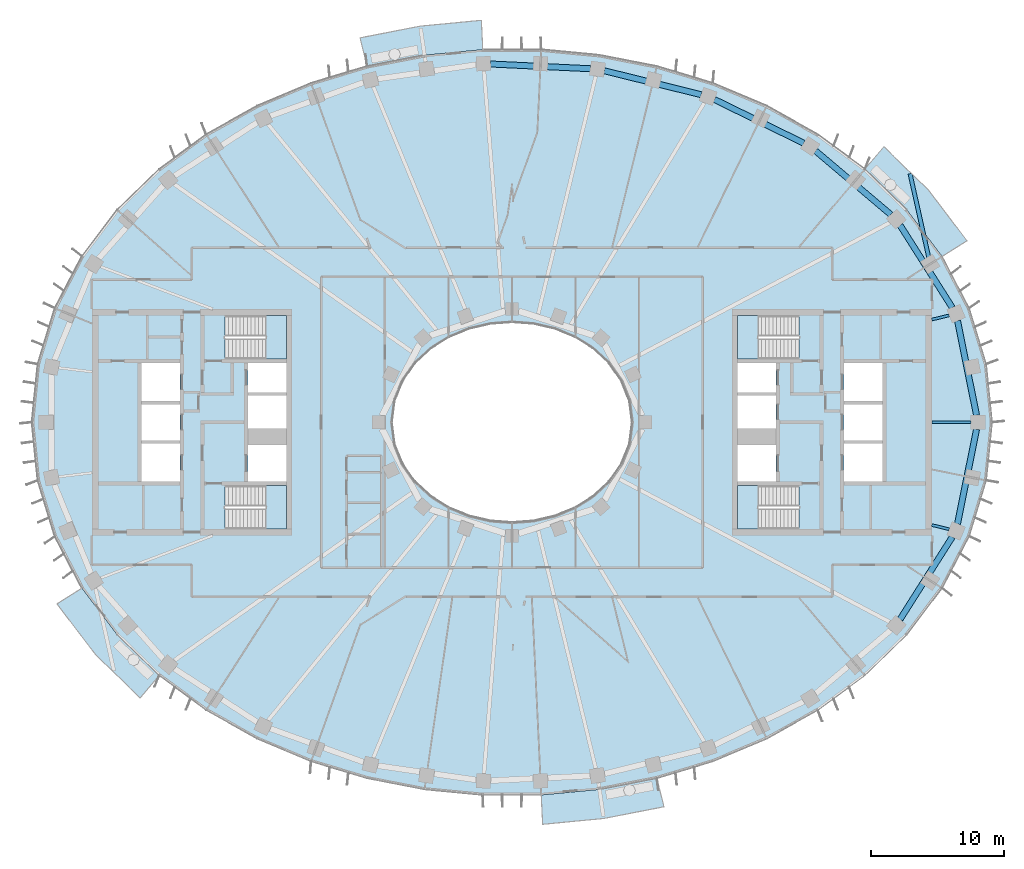
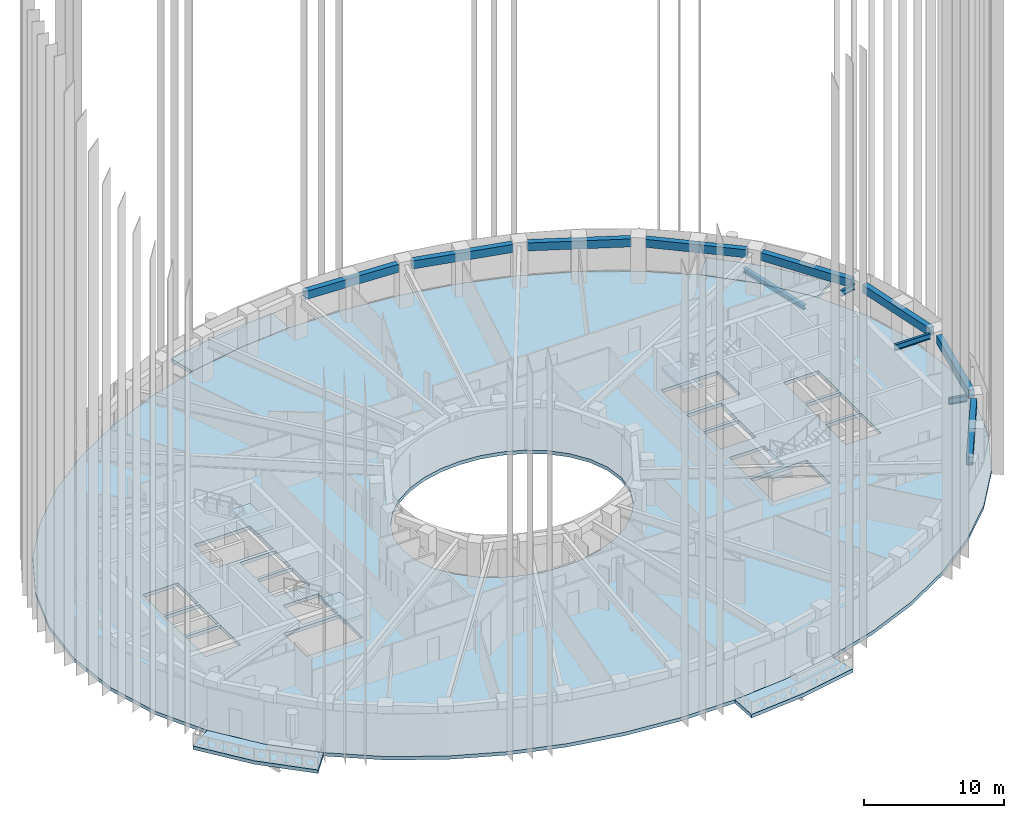
# One storey, part 2 of 19: 12 beams, 9 slabs, 4 elements without a shape of their own.
"""IFC4 building model written with IfcOpenShell, lengths in metres."""

from ifc_helpers import new_model, si_unit, direction, frame, origin, origin_2d, place, context, subcontext, project, spatial, polyline, rectangle, i_section, outline, extrude, material, layer, layer_set, material_profile, profile_set, type_object, element, aggregate, save


model = new_model("IFC4")

# Units and contexts
model_context = context("Model", 3, precision=1e-05, world=origin(), true_north=direction((0.0, 1.0)))
body_context = subcontext(model_context, "Body", "Model", "MODEL_VIEW")
ifc_project = project(units=[si_unit("LENGTHUNIT", "METRE"), si_unit("AREAUNIT", "SQUARE_METRE"), si_unit("VOLUMEUNIT", "CUBIC_METRE"), si_unit("PLANEANGLEUNIT", "RADIAN"), si_unit("MASSUNIT", "GRAM", prefix="KILO")], contexts=[model_context])

# Site, building, storey
site_placement = place(None, origin())
site = spatial("IfcSite", under=ifc_project, at=site_placement, CompositionType="ELEMENT")
building_placement = place(site_placement, origin())
building = spatial("IfcBuilding", under=site, at=building_placement, Name="Noorbagh Ring Tower", CompositionType="ELEMENT")
storey_placement = place(building_placement, frame((0.0, 0.0, 233.5)))
storey = spatial("IfcBuildingStorey", under=building, at=storey_placement, Name="L48", CompositionType="ELEMENT", Elevation=233.5)

# Beams
ifc_material_1 = material(Name="Steel S355", Category="steel")
ifc_material_profile_1 = material_profile(ifc_material_1, i_section(OverallWidth=0.300048828125, OverallDepth=0.39990234375, WebThickness=0.013427734375, FlangeThickness=0.02392578125, FilletRadius=0.027099609375, at=origin_2d()), Name="HEB400")
ifc_profile_set_1 = profile_set([ifc_material_profile_1], Name="Steel S355")
beam_type_1 = type_object("IfcBeamType", Name="STR-BALCONY-BRACKET-HEB400", PredefinedType="BEAM", material=ifc_profile_set_1)
beam_1_placement = place(storey_placement, frame((31.24951171875, 12.38818359375, -0.5), z_axis=(-0.217922696307, 0.975966033443, 0.0), x_axis=(-0.975966033443, -0.217922696307, 0.0)))
element("IfcBeam", 1, at=beam_1_placement, inside=storey, type_object=beam_type_1, Name="Balcony bracket beam BN01", PredefinedType="BEAM", context=body_context, shape_type="SweptSolid", body=[
    extrude(i_section(OverallWidth=0.300048828125, OverallDepth=0.39990234375, WebThickness=0.013427734375, FlangeThickness=0.02392578125, FilletRadius=0.027099609375, at=origin_2d()), origin(), (0.0, 0.0, 1.0), 6.408203125),
])
ifc_material_2 = material(Name="Steel S355", Category="steel")
ifc_material_profile_2 = material_profile(ifc_material_2, i_section(OverallWidth=0.199951171875, OverallDepth=0.5, WebThickness=0.01025390625, FlangeThickness=0.01611328125, FilletRadius=0.02099609375, at=origin_2d()), Name="IPE500")
ifc_profile_set_2 = profile_set([ifc_material_profile_2], Name="Steel S355")
beam_type_2 = type_object("IfcBeamType", Name="STR-RAD-IPE500", PredefinedType="BEAM", material=ifc_profile_set_2)
beam_2_placement = place(storey_placement, frame((34.414794921875, 0.0, 3.449951171875), z_axis=(-1.0, 0.0, 0.0), x_axis=(0.0, -1.0, 0.0)))
element("IfcBeam", 2, at=beam_2_placement, inside=storey, type_object=beam_type_2, Name="L48/bm/RD01", PredefinedType="BEAM", context=body_context, shape_type="SweptSolid", body=[
    extrude(i_section(OverallWidth=0.199951171875, OverallDepth=0.5, WebThickness=0.01025390625, FlangeThickness=0.01611328125, FilletRadius=0.02099609375, at=origin_2d()), origin(), (0.0, 0.0, 1.0), 2.934814453125),
])
for number, where, z_axis, x_axis, name in (
    (3, (32.784423828125, 8.02197265625, 3.449951171875), (-0.971339314725, -0.23769715116, 0.0), (0.23769715116, -0.971339314725, 0.0), "L48/bm/RD03"),
    (4, (32.784423828125, -8.02197265625, 3.449951171875), (-0.971339314725, 0.23769715116, 0.0), (-0.23769715116, -0.971339314725, 0.0), "L48/bm/RD45"),
):
    element("IfcBeam", number, at=place(storey_placement, frame(where, z_axis=z_axis, x_axis=x_axis)), inside=storey, type_object=beam_type_2, Name=name, PredefinedType="BEAM", context=body_context, shape_type="SweptSolid", body=[
        extrude(i_section(OverallWidth=0.199951171875, OverallDepth=0.5, WebThickness=0.01025390625, FlangeThickness=0.01611328125, FilletRadius=0.02099609375, at=origin_2d()), origin(), (0.0, 0.0, 1.0), 1.342529296875),
    ])
ifc_material_3 = material(Name="Concrete C40/50", Category="concrete")
ifc_material_profile_3 = material_profile(ifc_material_3, rectangle(XDim=0.449951171875, YDim=0.699951171875, at=origin_2d()), Name="RC450x700")
ifc_profile_set_3 = profile_set([ifc_material_profile_3], Name="Concrete C40/50")
beam_type_3 = type_object("IfcBeamType", Name="STR-SB-RC450x700-C40-50", PredefinedType="BEAM", material=ifc_profile_set_3)
beam_3_placement = place(storey_placement, frame((34.837890625, 0.5302734375, 3.35009765625), z_axis=(-0.197226195613, 0.980358009996, 0.0), x_axis=(-0.980358009996, -0.197226195613, 0.0)))
element("IfcBeam", 5, at=beam_3_placement, inside=storey, type_object=beam_type_3, Name="L48/bm/SP01", PredefinedType="BEAM", context=body_context, shape_type="SweptSolid", body=[
    extrude(rectangle(XDim=0.449951171875, YDim=0.699951171875, at=origin_2d()), origin(), (0.0, 0.0, 1.0), 7.231689453125),
])
beam_4_placement = place(storey_placement, frame((33.016845703125, 8.604248046875, 3.35009765625), z_axis=(-0.535181639591, 0.844737007977, 0.0), x_axis=(-0.844737007977, -0.535181639591, 0.0)))
element("IfcBeam", 6, at=beam_4_placement, inside=storey, type_object=beam_type_3, Name="L48/bm/SP03", PredefinedType="BEAM", context=body_context, shape_type="SweptSolid", body=[
    extrude(rectangle(XDim=0.449951171875, YDim=0.699951171875, at=origin_2d()), origin(), (0.0, 0.0, 1.0), 7.30712890625),
])
beam_5_placement = place(storey_placement, frame((28.41015625, 15.57666015625, 3.35009765625), z_axis=(-0.763041647575, 0.646349320465, 0.0), x_axis=(-0.646349320465, -0.763041647575, 0.0)))
element("IfcBeam", 7, at=beam_5_placement, inside=storey, type_object=beam_type_3, Name="L48/bm/SP05", PredefinedType="BEAM", context=body_context, shape_type="SweptSolid", body=[
    extrude(rectangle(XDim=0.449951171875, YDim=0.699951171875, at=origin_2d()), origin(), (0.0, 0.0, 1.0), 7.3916015625),
])
beam_6_placement = place(storey_placement, frame((21.88232421875, 20.934326171875, 3.35009765625), z_axis=(-0.898395566206, 0.43918721136, 0.0), x_axis=(-0.43918721136, -0.898395566206, 0.0)))
element("IfcBeam", 8, at=beam_6_placement, inside=storey, type_object=beam_type_3, Name="L48/bm/SP07", PredefinedType="BEAM", context=body_context, shape_type="SweptSolid", body=[
    extrude(rectangle(XDim=0.449951171875, YDim=0.699951171875, at=origin_2d()), origin(), (0.0, 0.0, 1.0), 7.45068359375),
])
beam_7_placement = place(storey_placement, frame((14.192138671875, 24.568603515625, 3.35009765625), z_axis=(-0.970829382675, 0.239771369713, 0.0), x_axis=(-0.239771369713, -0.970829382675, 0.0)))
element("IfcBeam", 9, at=beam_7_placement, inside=storey, type_object=beam_type_3, Name="L48/bm/SP09", PredefinedType="BEAM", context=body_context, shape_type="SweptSolid", body=[
    extrude(rectangle(XDim=0.449951171875, YDim=0.699951171875, at=origin_2d()), origin(), (0.0, 0.0, 1.0), 7.48388671875),
])
beam_8_placement = place(storey_placement, frame((5.877197265625, 26.51611328125, 3.35009765625), z_axis=(-0.998869095319, 0.047545035672, 0.0), x_axis=(-0.047545035672, -0.998869095319, 0.0)))
element("IfcBeam", 10, at=beam_8_placement, inside=storey, type_object=beam_type_3, Name="L48/bm/SP11", PredefinedType="BEAM", context=body_context, shape_type="SweptSolid", body=[
    extrude(rectangle(XDim=0.449951171875, YDim=0.699951171875, at=origin_2d()), origin(), (0.0, 0.0, 1.0), 7.4970703125),
])
beam_9_placement = place(storey_placement, frame((29.106201171875, -14.77685546875, 3.35009765625), z_axis=(0.535181639591, 0.844737007977, 0.0), x_axis=(-0.844737007977, 0.535181639591, 0.0)))
element("IfcBeam", 11, at=beam_9_placement, inside=storey, type_object=beam_type_3, Name="L48/bm/SP43", PredefinedType="BEAM", context=body_context, shape_type="SweptSolid", body=[
    extrude(rectangle(XDim=0.449951171875, YDim=0.699951171875, at=origin_2d()), origin(), (0.0, 0.0, 1.0), 7.30712890625),
])
beam_10_placement = place(storey_placement, frame((33.41162109375, -7.619873046875, 3.35009765625), z_axis=(0.197226195613, 0.980358009996, 0.0), x_axis=(-0.980358009996, 0.197226195613, 0.0)))
element("IfcBeam", 12, at=beam_10_placement, inside=storey, type_object=beam_type_3, Name="L48/bm/SP45", PredefinedType="BEAM", context=body_context, shape_type="SweptSolid", body=[
    extrude(rectangle(XDim=0.449951171875, YDim=0.699951171875, at=origin_2d()), origin(), (0.0, 0.0, 1.0), 7.231689453125),
])

# Stair, slab
ifc_material_4 = material(Name="Concrete C40/50", Category="concrete")
stair_type = type_object("IfcStairType", Name="CORE-STAIR", PredefinedType="HALF_TURN_STAIR", material=ifc_material_4)
stair_1_placement = place(storey_placement, origin())
stair_1 = element("IfcStair", 13, at=stair_1_placement, inside=storey, type_object=stair_type, Name="L48 Exit stair ST1", PredefinedType="HALF_TURN_STAIR")
ifc_material_5 = material(Name="Concrete C40/50", Category="concrete")
ifc_layer_1 = layer(ifc_material_5, 0.300048828125)
ifc_layer_set_1 = layer_set([ifc_layer_1], Name="Concrete C40/50")
slab_type_1 = type_object("IfcSlabType", Name="CORE-STAIR-LANDING", PredefinedType="LANDING", material=ifc_layer_set_1)
slab_1_placement = place(storey_placement, frame((0.0, 0.0, 1.699951171875)))
slab_1 = element("IfcSlab", 14, at=slab_1_placement, type_object=slab_type_1, Name="ST1 landing 1", PredefinedType="LANDING", context=body_context, shape_type="SweptSolid", body=[
    extrude(outline(polyline([(-18.449951171875, 4.75), (-16.89990234375, 4.75), (-16.89990234375, 8.0), (-18.449951171875, 8.0), (-18.449951171875, 4.75)])), origin(), (0.0, 0.0, 1.0), 0.300048828125),
])
aggregate(stair_1, [slab_1])

stair_2_placement = place(storey_placement, origin())
stair_2 = element("IfcStair", 15, at=stair_2_placement, inside=storey, type_object=stair_type, Name="L48 Exit stair ST2", PredefinedType="HALF_TURN_STAIR")
slab_2_placement = place(storey_placement, frame((0.0, 0.0, 1.699951171875)))
slab_2 = element("IfcSlab", 16, at=slab_2_placement, type_object=slab_type_1, Name="ST2 landing 1", PredefinedType="LANDING", context=body_context, shape_type="SweptSolid", body=[
    extrude(outline(polyline([(-18.449951171875, -8.0), (-16.89990234375, -8.0), (-16.89990234375, -4.75), (-18.449951171875, -4.75), (-18.449951171875, -8.0)])), origin(), (0.0, 0.0, 1.0), 0.300048828125),
])
aggregate(stair_2, [slab_2])

stair_3_placement = place(storey_placement, origin())
stair_3 = element("IfcStair", 17, at=stair_3_placement, inside=storey, type_object=stair_type, Name="L48 Exit stair ST3", PredefinedType="HALF_TURN_STAIR")
slab_3_placement = place(storey_placement, frame((0.0, 0.0, 1.699951171875)))
slab_3 = element("IfcSlab", 18, at=slab_3_placement, type_object=slab_type_1, Name="ST3 landing 1", PredefinedType="LANDING", context=body_context, shape_type="SweptSolid", body=[
    extrude(outline(polyline([(18.449951171875, 8.0), (16.89990234375, 8.0), (16.89990234375, 4.75), (18.449951171875, 4.75), (18.449951171875, 8.0)])), origin(), (0.0, 0.0, 1.0), 0.300048828125),
])
aggregate(stair_3, [slab_3])

stair_4_placement = place(storey_placement, origin())
stair_4 = element("IfcStair", 19, at=stair_4_placement, inside=storey, type_object=stair_type, Name="L48 Exit stair ST4", PredefinedType="HALF_TURN_STAIR")
slab_4_placement = place(storey_placement, frame((0.0, 0.0, 1.699951171875)))
slab_4 = element("IfcSlab", 20, at=slab_4_placement, type_object=slab_type_1, Name="ST4 landing 1", PredefinedType="LANDING", context=body_context, shape_type="SweptSolid", body=[
    extrude(outline(polyline([(18.449951171875, -4.75), (16.89990234375, -4.75), (16.89990234375, -8.0), (18.449951171875, -8.0), (18.449951171875, -4.75)])), origin(), (0.0, 0.0, 1.0), 0.300048828125),
])
aggregate(stair_4, [slab_4])

# Slabs
ifc_material_6 = material(Name="Concrete C40/50", Category="concrete")
ifc_layer_2 = layer(ifc_material_6, 0.300048828125)
ifc_layer_set_2 = layer_set([ifc_layer_2], Name="Concrete C40/50")
slab_type_2 = type_object("IfcSlabType", Name="ENV-BALCONY DECK 300", PredefinedType="FLOOR", material=ifc_layer_set_2)
slab_5_placement = place(storey_placement, frame((0.0, 0.0, -0.300048828125)))
element("IfcSlab", 21, at=slab_5_placement, inside=storey, type_object=slab_type_2, Name="Tree balcony deck BN01", PredefinedType="FLOOR", context=body_context, shape_type="SweptSolid", body=[
    extrude(outline(polyline([(34.120361328125, 13.615966796875), (31.26025390625, 17.389892578125), (27.888671875, 20.665771484375), (26.463134765625, 18.983154296875), (29.607666015625, 15.92822265625), (32.255126953125, 12.434814453125), (34.120361328125, 13.615966796875)])), origin(), (0.0, 0.0, 1.0), 0.300048828125),
])
slab_6_placement = place(storey_placement, frame((0.0, 0.0, -0.300048828125)))
element("IfcSlab", 22, at=slab_6_placement, inside=storey, type_object=slab_type_2, Name="Tree balcony deck BN04", PredefinedType="FLOOR", context=body_context, shape_type="SweptSolid", body=[
    extrude(outline(polyline([(-2.2978515625, 30.14794921875), (-6.874755859375, 29.711181640625), (-11.3935546875, 28.832763671875), (-10.865234375, 26.6943359375), (-6.5595703125, 27.53125), (-2.193115234375, 27.947998046875), (-2.2978515625, 30.14794921875)])), origin(), (0.0, 0.0, 1.0), 0.300048828125),
])
slab_7_placement = place(storey_placement, frame((0.0, 0.0, -0.300048828125)))
element("IfcSlab", 23, at=slab_7_placement, inside=storey, type_object=slab_type_2, Name="Tree balcony deck BS01", PredefinedType="FLOOR", context=body_context, shape_type="SweptSolid", body=[
    extrude(outline(polyline([(-34.120361328125, -13.615966796875), (-31.26025390625, -17.389892578125), (-27.888671875, -20.665771484375), (-26.463134765625, -18.983154296875), (-29.607666015625, -15.92822265625), (-32.255126953125, -12.434814453125), (-34.120361328125, -13.615966796875)])), origin(), (0.0, 0.0, 1.0), 0.300048828125),
])
slab_8_placement = place(storey_placement, frame((0.0, 0.0, -0.300048828125)))
element("IfcSlab", 24, at=slab_8_placement, inside=storey, type_object=slab_type_2, Name="Tree balcony deck BS04", PredefinedType="FLOOR", context=body_context, shape_type="SweptSolid", body=[
    extrude(outline(polyline([(2.2978515625, -30.14794921875), (6.874755859375, -29.711181640625), (11.3935546875, -28.832763671875), (10.865234375, -26.6943359375), (6.5595703125, -27.53125), (2.193115234375, -27.947998046875), (2.2978515625, -30.14794921875)])), origin(), (0.0, 0.0, 1.0), 0.300048828125),
])
ifc_material_7 = material(Name="Concrete C40/50", Category="concrete")
ifc_layer_3 = layer(ifc_material_7, 0.300048828125)
ifc_layer_set_3 = layer_set([ifc_layer_3], Name="Concrete C40/50")
slab_type_3 = type_object("IfcSlabType", Name="STR-FLOOR-DECK-300", PredefinedType="FLOOR", material=ifc_layer_set_3)
slab_9_placement = place(storey_placement, frame((0.0, 0.0, -0.300048828125)))
element("IfcSlab", 25, at=slab_9_placement, inside=storey, type_object=slab_type_3, Name="L48/slab/1", PredefinedType="FLOOR", context=body_context, shape_type="SweptSolid", body=[
    extrude(outline(polyline([(36.0, 0.0), (35.56103515625, 4.358642578125), (34.281005859375, 8.548828125), (32.255126953125, 12.434814453125), (29.607666015625, 15.92822265625), (26.463134765625, 18.983154296875), (22.9326171875, 21.583740234375), (19.108154296875, 23.730224609375), (15.0654296875, 25.430419921875), (10.865234375, 26.6943359375), (6.5595703125, 27.53125), (2.193115234375, 27.947998046875), (-2.193115234375, 27.947998046875), (-6.5595703125, 27.53125), (-10.865234375, 26.6943359375), (-15.0654296875, 25.430419921875), (-19.108154296875, 23.730224609375), (-22.9326171875, 21.583740234375), (-26.463134765625, 18.983154296875), (-29.607666015625, 15.92822265625), (-32.255126953125, 12.434814453125), (-34.281005859375, 8.548828125), (-35.56103515625, 4.358642578125), (-36.0, 0.0), (-35.56103515625, -4.358642578125), (-34.281005859375, -8.548828125), (-32.255126953125, -12.434814453125), (-29.607666015625, -15.92822265625), (-26.463134765625, -18.983154296875), (-22.9326171875, -21.583740234375), (-19.108154296875, -23.730224609375), (-15.0654296875, -25.430419921875), (-10.865234375, -26.6943359375), (-6.5595703125, -27.53125), (-2.193115234375, -27.947998046875), (2.193115234375, -27.947998046875), (6.5595703125, -27.53125), (10.865234375, -26.6943359375), (15.0654296875, -25.430419921875), (19.108154296875, -23.730224609375), (22.9326171875, -21.583740234375), (26.463134765625, -18.983154296875), (29.607666015625, -15.92822265625), (32.255126953125, -12.434814453125), (34.281005859375, -8.548828125), (35.56103515625, -4.358642578125), (36.0, 0.0)]), holes=[polyline([(24.89990234375, 4.449951171875), (27.800048828125, 4.449951171875), (27.800048828125, 1.60009765625), (24.89990234375, 1.60009765625), (24.89990234375, 4.449951171875)]), polyline([(24.89990234375, 1.35009765625), (27.800048828125, 1.35009765625), (27.800048828125, -1.35009765625), (24.89990234375, -1.35009765625), (24.89990234375, 1.35009765625)]), polyline([(24.89990234375, -1.60009765625), (27.800048828125, -1.60009765625), (27.800048828125, -4.449951171875), (24.89990234375, -4.449951171875), (24.89990234375, -1.60009765625)]), polyline([(21.529541015625, -8.0), (16.89990234375, -8.0), (16.89990234375, -4.75), (21.529541015625, -4.75), (21.529541015625, -8.0)]), polyline([(16.89990234375, 4.75), (16.89990234375, 8.0), (21.529541015625, 8.0), (21.529541015625, 4.75), (16.89990234375, 4.75)]), polyline([(19.800048828125, 4.449951171875), (19.800048828125, 2.25), (16.89990234375, 2.25), (16.89990234375, 4.449951171875), (19.800048828125, 4.449951171875)]), polyline([(16.89990234375, 2.0), (19.800048828125, 2.0), (19.800048828125, -0.449951171875), (16.89990234375, -0.449951171875), (16.89990234375, 2.0)]), polyline([(16.89990234375, -1.699951171875), (19.800048828125, -1.699951171875), (19.800048828125, -4.449951171875), (16.89990234375, -4.449951171875), (16.89990234375, -1.699951171875)]), polyline([(4.697509765625, -6.3974609375), (3.196533203125, -7.010986328125), (1.6171875, -7.3779296875), (0.0, -7.5), (-1.6171875, -7.3779296875), (-3.196533203125, -7.010986328125), (-4.697509765625, -6.3974609375), (-6.071044921875, -5.53662109375), (-7.2587890625, -4.43408203125), (-8.1904296875, -3.10888671875), (-8.79150390625, -1.605224609375), (-9.0, 0.0), (-8.79150390625, 1.605224609375), (-8.1904296875, 3.10888671875), (-7.2587890625, 4.43408203125), (-6.071044921875, 5.53662109375), (-4.697509765625, 6.3974609375), (-3.196533203125, 7.010986328125), (-1.6171875, 7.3779296875), (0.0, 7.5), (1.6171875, 7.3779296875), (3.196533203125, 7.010986328125), (4.697509765625, 6.3974609375), (6.071044921875, 5.53662109375), (7.2587890625, 4.43408203125), (8.1904296875, 3.10888671875), (8.79150390625, 1.605224609375), (9.0, 0.0), (8.79150390625, -1.605224609375), (8.1904296875, -3.10888671875), (7.2587890625, -4.43408203125), (6.071044921875, -5.53662109375), (4.697509765625, -6.3974609375)]), polyline([(-16.89990234375, 2.25), (-19.800048828125, 2.25), (-19.800048828125, 4.449951171875), (-16.89990234375, 4.449951171875), (-16.89990234375, 2.25)]), polyline([(-16.89990234375, -0.449951171875), (-19.800048828125, -0.449951171875), (-19.800048828125, 2.0), (-16.89990234375, 2.0), (-16.89990234375, -0.449951171875)]), polyline([(-16.89990234375, -4.449951171875), (-19.800048828125, -4.449951171875), (-19.800048828125, -1.699951171875), (-16.89990234375, -1.699951171875), (-16.89990234375, -4.449951171875)]), polyline([(-21.529541015625, 8.0), (-16.89990234375, 8.0), (-16.89990234375, 4.75), (-21.529541015625, 4.75), (-21.529541015625, 8.0)]), polyline([(-21.529541015625, -4.75), (-16.89990234375, -4.75), (-16.89990234375, -8.0), (-21.529541015625, -8.0), (-21.529541015625, -4.75)]), polyline([(-24.89990234375, -4.449951171875), (-27.800048828125, -4.449951171875), (-27.800048828125, -1.60009765625), (-24.89990234375, -1.60009765625), (-24.89990234375, -4.449951171875)]), polyline([(-24.89990234375, 1.60009765625), (-27.800048828125, 1.60009765625), (-27.800048828125, 4.449951171875), (-24.89990234375, 4.449951171875), (-24.89990234375, 1.60009765625)]), polyline([(-24.89990234375, -1.35009765625), (-27.800048828125, -1.35009765625), (-27.800048828125, 1.35009765625), (-24.89990234375, 1.35009765625), (-24.89990234375, -1.35009765625)])]), origin(), (0.0, 0.0, 1.0), 0.300048828125),
])

save(model, "model.ifc")
